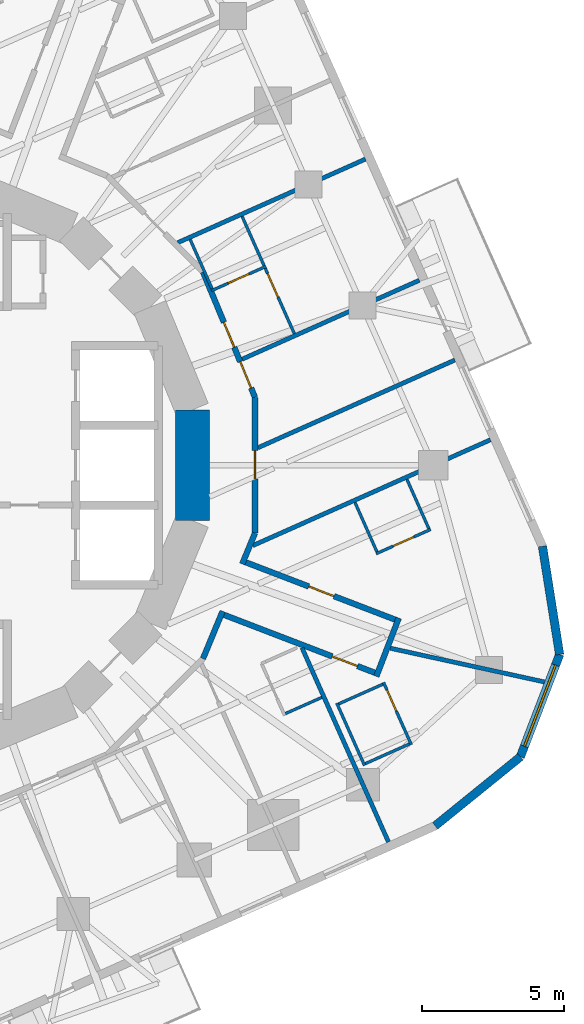
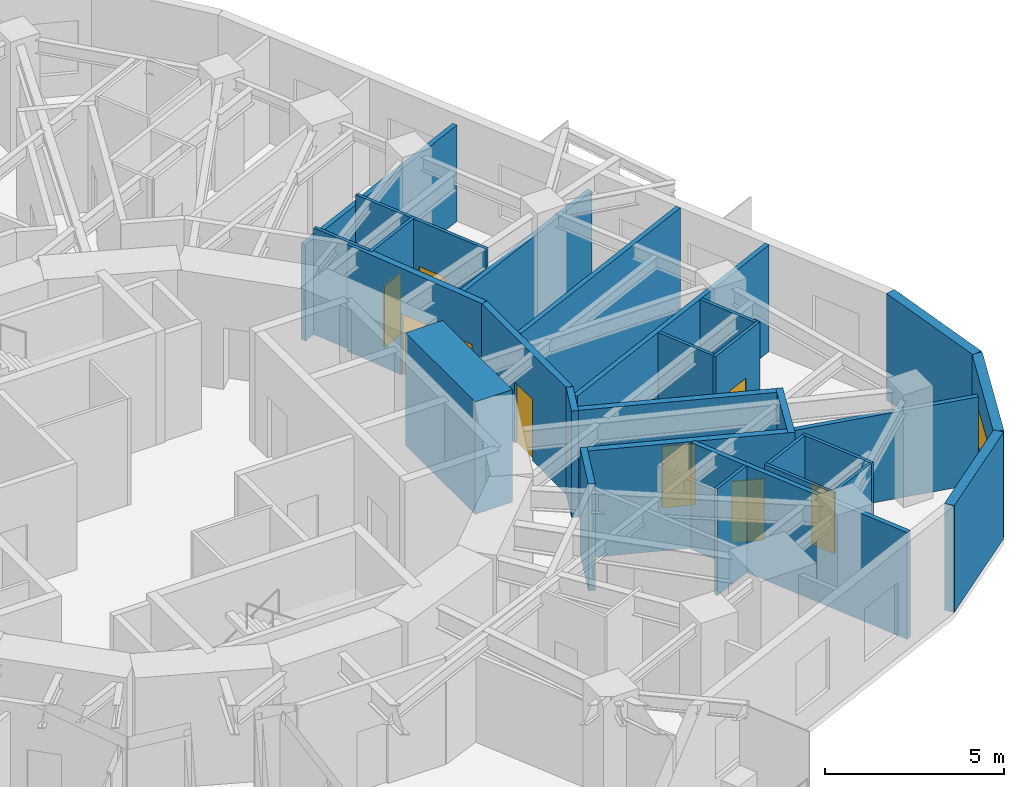
# One storey, part 8 of 12: 29 walls, 9 doors, 1 window, 10 openings.
"""IFC4 building model written with IfcOpenShell, lengths in metres."""

from ifc_helpers import new_model, si_unit, direction, frame, frame_2d, origin, place, context, subcontext, project, spatial, rectangle, extrude, material, layer, layer_set, type_object, element, fill, save


model = new_model("IFC4")

# Units and contexts
model_context = context("Model", 3, precision=1e-05, world=origin(), true_north=direction((0.0, 1.0)))
body_context = subcontext(model_context, "Body", "Model", "MODEL_VIEW")
ifc_project = project(units=[si_unit("LENGTHUNIT", "METRE"), si_unit("AREAUNIT", "SQUARE_METRE"), si_unit("VOLUMEUNIT", "CUBIC_METRE"), si_unit("PLANEANGLEUNIT", "RADIAN"), si_unit("MASSUNIT", "GRAM", prefix="KILO")], contexts=[model_context])

# Site, building, storey
site_placement = place(None, origin())
site = spatial("IfcSite", under=ifc_project, at=site_placement, CompositionType="ELEMENT")
building_placement = place(site_placement, origin())
building = spatial("IfcBuilding", under=site, at=building_placement, Name="Nakasero Lantern House", CompositionType="ELEMENT")
storey_placement = place(building_placement, frame((0.0, 0.0, 205.550048828125)))
storey = spatial("IfcBuildingStorey", under=building, at=storey_placement, Name="L50", CompositionType="ELEMENT", Elevation=205.550048828125)

# Wall
ifc_material_1 = material(Name="Concrete C50/60", Category="concrete")
ifc_layer_1 = layer(ifc_material_1, 1.199951171875)
ifc_layer_set_1 = layer_set([ifc_layer_1], Name="Core wall 1200")
wall_type_1 = type_object("IfcWallType", Name="Core wall 1200", PredefinedType="SHEAR", material=ifc_layer_set_1)
wall_1_placement = place(storey_placement, frame((9.807861328125, -1.950927734375, 0.0), z_axis=(0.0, 0.0, 1.0), x_axis=(0.0, 1.0, 0.0)))
element("IfcWall", 1, at=wall_1_placement, inside=storey, type_object=wall_type_1, Name="Core wall L50 facet 16", PredefinedType="SHEAR", context=body_context, shape_type="SweptSolid", body=[
    extrude(rectangle(XDim=3.90185546875, YDim=1.199951171875, at=frame_2d((1.950927734375, 0.0))), origin(), (0.0, 0.0, 1.0), 3.849853515625),
])

# Wall, opening, door
ifc_material_2 = material(Name="Blockwork", Category="masonry")
ifc_layer_2 = layer(ifc_material_2, 0.199951171875)
ifc_layer_set_2 = layer_set([ifc_layer_2], Name="Corridor wall 200")
wall_type_2 = type_object("IfcWallType", Name="Corridor wall 200", PredefinedType="PARTITIONING", material=ifc_layer_set_2)
wall_2_placement = place(storey_placement, frame((12.0078125, 2.388427734375, 0.0), z_axis=(0.0, 0.0, 1.0), x_axis=(0.0, -1.0, 0.0)))
wall_2 = element("IfcWall", 2, at=wall_2_placement, inside=storey, type_object=wall_type_2, Name="Corridor wall L50 RC00a", PredefinedType="PARTITIONING", context=body_context, shape_type="SweptSolid", body=[
    extrude(rectangle(XDim=4.77685546875, YDim=0.199951171875, at=frame_2d((2.388427734375, 0.0))), origin(), (0.0, 0.0, 1.0), 3.64990234375),
])
opening_1_placement = place(wall_2_placement, frame((1.8701171875, 0.0, 0.0)))
opening_1 = element("IfcOpeningElement", 3, at=opening_1_placement, cuts=wall_2, Name="Opening D03", PredefinedType="OPENING", context=body_context, shape_type="SweptSolid", body=[
    extrude(rectangle(XDim=1.0, YDim=2.10009765625, at=frame_2d((0.5, 1.050048828125))), frame((0.0, 0.119873046875, 0.0), z_axis=(0.0, -1.0, 0.0), x_axis=(1.0, 0.0, 0.0)), (0.0, 0.0, 1.0), 0.239990234375),
])
ifc_material_3 = material(Name="Timber C24", Category="wood")
door_type_1 = type_object("IfcDoorType", Name="Lounge door FD30S 1000", OperationType="SINGLE_SWING_LEFT", PredefinedType="DOOR", material=ifc_material_3)
door_1_placement = place(opening_1_placement, origin())
door_1 = element("IfcDoor", 4, at=door_1_placement, inside=storey, type_object=door_type_1, Name="Door L50 DK0", OperationType="SINGLE_SWING_LEFT", OverallHeight=2.10009765625, OverallWidth=1.0, PredefinedType="DOOR", context=body_context, shape_type="SweptSolid", body=[
    extrude(rectangle(XDim=1.0, YDim=2.10009765625, at=frame_2d((0.5, 1.050048828125))), frame((0.0, 0.02490234375, 0.0), z_axis=(0.0, -1.0, 0.0), x_axis=(1.0, 0.0, 0.0)), (0.0, 0.0, 1.0), 0.050048828125),
])
fill(opening_1, door_1)

# Walls
wall_3_placement = place(storey_placement, frame((12.0078125, -2.388427734375, 0.0), z_axis=(0.0, 0.0, 1.0), x_axis=(-0.382694679749, -0.923874873612, 0.0)))
element("IfcWall", 5, at=wall_3_placement, inside=storey, type_object=wall_type_2, Name="Corridor wall L50 RC01a", PredefinedType="PARTITIONING", context=body_context, shape_type="SweptSolid", body=[
    extrude(rectangle(XDim=1.173828125, YDim=0.199951171875, at=frame_2d((0.5869140625, 0.0))), origin(), (0.0, 0.0, 1.0), 3.64990234375),
])
wall_4_placement = place(storey_placement, frame((10.86962890625, -5.136474609375, 0.0), z_axis=(0.0, 0.0, 1.0), x_axis=(-0.382710605355, -0.923868276622, 0.0)))
element("IfcWall", 6, at=wall_4_placement, inside=storey, type_object=wall_type_2, Name="Corridor wall L50 RC01b", PredefinedType="PARTITIONING", context=body_context, shape_type="SweptSolid", body=[
    extrude(rectangle(XDim=1.802734375, YDim=0.199951171875, at=frame_2d((0.9013671875, 0.0))), origin(), (0.0, 0.0, 1.0), 3.64990234375),
])

# Wall, openings, doors
wall_5_placement = place(storey_placement, frame((10.1796875, 6.802001953125, 0.0), z_axis=(0.0, 0.0, 1.0), x_axis=(0.382676767893, -0.923882292998, 0.0)))
wall_5 = element("IfcWall", 7, at=wall_5_placement, inside=storey, type_object=wall_type_2, Name="Corridor wall L50 RC15a", PredefinedType="PARTITIONING", context=body_context, shape_type="SweptSolid", body=[
    extrude(rectangle(XDim=4.777099609375, YDim=0.199951171875, at=frame_2d((2.388671875, 0.0))), origin(), (0.0, 0.0, 1.0), 3.64990234375),
])
opening_2_placement = place(wall_5_placement, frame((1.919921875, 0.0, 0.0)))
opening_2 = element("IfcOpeningElement", 8, at=opening_2_placement, cuts=wall_5, Name="Opening D01", PredefinedType="OPENING", context=body_context, shape_type="SweptSolid", body=[
    extrude(rectangle(XDim=0.949951171875, YDim=2.10009765625, at=frame_2d((0.47509765625, 1.050048828125))), frame((0.0, 0.119873046875, 0.0), z_axis=(0.0, -1.0, 0.0), x_axis=(1.0, 0.0, 0.0)), (0.0, 0.0, 1.0), 0.239990234375),
])
opening_3_placement = place(wall_5_placement, frame((3.419921875, 0.0, 0.0)))
opening_3 = element("IfcOpeningElement", 9, at=opening_3_placement, cuts=wall_5, Name="Opening D03", PredefinedType="OPENING", context=body_context, shape_type="SweptSolid", body=[
    extrude(rectangle(XDim=1.0, YDim=2.10009765625, at=frame_2d((0.5, 1.050048828125))), frame((0.0, 0.119873046875, 0.0), z_axis=(0.0, -1.0, 0.0), x_axis=(1.0, 0.0, 0.0)), (0.0, 0.0, 1.0), 0.239990234375),
])
ifc_material_4 = material(Name="Timber C24", Category="wood")
door_type_2 = type_object("IfcDoorType", Name="Bedroom door FD30S 950", OperationType="SINGLE_SWING_LEFT", PredefinedType="DOOR", material=ifc_material_4)
door_2_placement = place(opening_2_placement, origin())
door_2 = element("IfcDoor", 10, at=door_2_placement, inside=storey, type_object=door_type_2, Name="Door L50 D0-03", OperationType="SINGLE_SWING_RIGHT", OverallHeight=2.10009765625, OverallWidth=0.949951171875, PredefinedType="DOOR", context=body_context, shape_type="SweptSolid", body=[
    extrude(rectangle(XDim=0.949951171875, YDim=2.10009765625, at=frame_2d((0.47509765625, 1.050048828125))), frame((0.0, 0.02490234375, 0.0), z_axis=(0.0, -1.0, 0.0), x_axis=(1.0, 0.0, 0.0)), (0.0, 0.0, 1.0), 0.050048828125),
])
fill(opening_2, door_2)
door_3_placement = place(opening_3_placement, origin())
door_3 = element("IfcDoor", 11, at=door_3_placement, inside=storey, type_object=door_type_1, Name="Door L50 DK0-1", OperationType="SINGLE_SWING_RIGHT", OverallHeight=2.10009765625, OverallWidth=1.0, PredefinedType="DOOR", context=body_context, shape_type="SweptSolid", body=[
    extrude(rectangle(XDim=1.0, YDim=2.10009765625, at=frame_2d((0.5, 1.050048828125))), frame((0.0, 0.02490234375, 0.0), z_axis=(0.0, -1.0, 0.0), x_axis=(1.0, 0.0, 0.0)), (0.0, 0.0, 1.0), 0.050048828125),
])
fill(opening_3, door_3)

# Wall, opening, door
wall_6_placement = place(storey_placement, frame((10.831298828125, -5.22900390625, 0.0), z_axis=(0.0, 0.0, 1.0), x_axis=(0.933584570174, -0.358357154711, 0.0)))
wall_6 = element("IfcWall", 12, at=wall_6_placement, inside=storey, type_object=wall_type_2, Name="Corridor wall L50 SP3a", PredefinedType="PARTITIONING", context=body_context, shape_type="SweptSolid", body=[
    extrude(rectangle(XDim=5.97216796875, YDim=0.199951171875, at=frame_2d((2.986083984375, 0.0))), origin(), (0.0, 0.0, 1.0), 3.64990234375),
])
opening_4_placement = place(wall_6_placement, frame((4.169921875, 0.0, 0.0)))
opening_4 = element("IfcOpeningElement", 13, at=opening_4_placement, cuts=wall_6, Name="Opening D01", PredefinedType="OPENING", context=body_context, shape_type="SweptSolid", body=[
    extrude(rectangle(XDim=0.949951171875, YDim=2.10009765625, at=frame_2d((0.47509765625, 1.050048828125))), frame((0.0, 0.119873046875, 0.0), z_axis=(0.0, -1.0, 0.0), x_axis=(1.0, 0.0, 0.0)), (0.0, 0.0, 1.0), 0.239990234375),
])
door_4_placement = place(opening_4_placement, origin())
door_4 = element("IfcDoor", 14, at=door_4_placement, inside=storey, type_object=door_type_2, Name="Door L50 D3-06", OperationType="SINGLE_SWING_RIGHT", OverallHeight=2.10009765625, OverallWidth=0.949951171875, PredefinedType="DOOR", context=body_context, shape_type="SweptSolid", body=[
    extrude(rectangle(XDim=0.949951171875, YDim=2.10009765625, at=frame_2d((0.47509765625, 1.050048828125))), frame((0.0, 0.02490234375, 0.0), z_axis=(0.0, -1.0, 0.0), x_axis=(1.0, 0.0, 0.0)), (0.0, 0.0, 1.0), 0.050048828125),
])
fill(opening_4, door_4)

wall_7_placement = place(storey_placement, frame((11.596923828125, -3.380615234375, 0.0), z_axis=(0.0, 0.0, 1.0), x_axis=(0.933582445172, -0.358362690674, 0.0)))
wall_7 = element("IfcWall", 15, at=wall_7_placement, inside=storey, type_object=wall_type_2, Name="Corridor wall L50 SP3b", PredefinedType="PARTITIONING", context=body_context, shape_type="SweptSolid", body=[
    extrude(rectangle(XDim=5.91943359375, YDim=0.199951171875, at=frame_2d((2.959716796875, 0.0))), origin(), (0.0, 0.0, 1.0), 3.64990234375),
])
opening_5_placement = place(wall_7_placement, frame((2.469970703125, 0.0, 0.0)))
opening_5 = element("IfcOpeningElement", 16, at=opening_5_placement, cuts=wall_7, Name="Opening D01", PredefinedType="OPENING", context=body_context, shape_type="SweptSolid", body=[
    extrude(rectangle(XDim=0.949951171875, YDim=2.10009765625, at=frame_2d((0.47509765625, 1.050048828125))), frame((0.0, 0.119873046875, 0.0), z_axis=(0.0, -1.0, 0.0), x_axis=(1.0, 0.0, 0.0)), (0.0, 0.0, 1.0), 0.239990234375),
])
door_5_placement = place(opening_5_placement, origin())
door_5 = element("IfcDoor", 17, at=door_5_placement, inside=storey, type_object=door_type_2, Name="Door L50 D0-00", OperationType="SINGLE_SWING_LEFT", OverallHeight=2.10009765625, OverallWidth=0.949951171875, PredefinedType="DOOR", context=body_context, shape_type="SweptSolid", body=[
    extrude(rectangle(XDim=0.949951171875, YDim=2.10009765625, at=frame_2d((0.47509765625, 1.050048828125))), frame((0.0, 0.02490234375, 0.0), z_axis=(0.0, -1.0, 0.0), x_axis=(1.0, 0.0, 0.0)), (0.0, 0.0, 1.0), 0.050048828125),
])
fill(opening_5, door_5)

# Wall
wall_8_placement = place(storey_placement, frame((16.277587890625, -7.426513671875, 0.0), z_axis=(0.0, 0.0, 1.0), x_axis=(0.358361733464, 0.933582812604, 0.0)))
element("IfcWall", 18, at=wall_8_placement, inside=storey, type_object=wall_type_2, Name="Corridor wall L50 SP3e", PredefinedType="PARTITIONING", context=body_context, shape_type="SweptSolid", body=[
    extrude(rectangle(XDim=2.19970703125, YDim=0.199951171875, at=frame_2d((1.099853515625, 0.0))), origin(), (0.0, 0.0, 1.0), 3.64990234375),
])

# Wall, opening, door
ifc_material_5 = material(Name="Blockwork", Category="masonry")
ifc_layer_3 = layer(ifc_material_5, 0.10009765625)
ifc_layer_set_3 = layer_set([ifc_layer_3], Name="En-suite wall 100")
wall_type_3 = type_object("IfcWallType", Name="En-suite wall 100", PredefinedType="PARTITIONING", material=ifc_layer_set_3)
wall_9_placement = place(storey_placement, frame((16.27197265625, -3.11083984375, 0.0), z_axis=(0.0, 0.0, 1.0), x_axis=(0.913528480824, 0.406774771494, 0.0)))
wall_9 = element("IfcWall", 19, at=wall_9_placement, inside=storey, type_object=wall_type_3, Name="En-suite wall L50 ES0-00", PredefinedType="PARTITIONING", context=body_context, shape_type="SweptSolid", body=[
    extrude(rectangle(XDim=2.10009765625, YDim=0.10009765625, at=frame_2d((1.050048828125, 0.0))), origin(), (0.0, 0.0, 1.0), 3.64990234375),
])
opening_6_placement = place(wall_9_placement, frame((0.64990234375, 0.0, 0.0)))
opening_6 = element("IfcOpeningElement", 20, at=opening_6_placement, cuts=wall_9, Name="Opening D02", PredefinedType="OPENING", context=body_context, shape_type="SweptSolid", body=[
    extrude(rectangle(XDim=0.800048828125, YDim=2.10009765625, at=frame_2d((0.39990234375, 1.050048828125))), frame((0.0, 0.070068359375, 0.0), z_axis=(0.0, -1.0, 0.0), x_axis=(1.0, 0.0, 0.0)), (0.0, 0.0, 1.0), 0.14013671875),
])
ifc_material_6 = material(Name="Timber C24", Category="wood")
door_type_3 = type_object("IfcDoorType", Name="En-suite door 800", OperationType="SINGLE_SWING_RIGHT", PredefinedType="DOOR", material=ifc_material_6)
door_6_placement = place(opening_6_placement, origin())
door_6 = element("IfcDoor", 21, at=door_6_placement, inside=storey, type_object=door_type_3, Name="Door L50 DE0-00", OperationType="SINGLE_SWING_RIGHT", OverallHeight=2.10009765625, OverallWidth=0.800048828125, PredefinedType="DOOR", context=body_context, shape_type="SweptSolid", body=[
    extrude(rectangle(XDim=0.800048828125, YDim=2.10009765625, at=frame_2d((0.39990234375, 1.050048828125))), frame((0.0, 0.02490234375, 0.0), z_axis=(0.0, -1.0, 0.0), x_axis=(1.0, 0.0, 0.0)), (0.0, 0.0, 1.0), 0.050048828125),
])
fill(opening_6, door_6)

# Walls
wall_10_placement = place(storey_placement, frame((18.12451171875, -2.2314453125, 0.0), z_axis=(0.0, 0.0, 1.0), x_axis=(-0.406674880245, 0.913572953725, 0.0)))
element("IfcWall", 22, at=wall_10_placement, inside=storey, type_object=wall_type_3, Name="En-suite wall L50 EE0-00", PredefinedType="PARTITIONING", context=body_context, shape_type="SweptSolid", body=[
    extrude(rectangle(XDim=1.900146484375, YDim=0.10009765625, at=frame_2d((0.9501953125, 0.0))), origin(), (0.0, 0.0, 1.0), 3.64990234375),
])
wall_11_placement = place(storey_placement, frame((16.29736328125, -3.044677734375, 0.0), z_axis=(0.0, 0.0, 1.0), x_axis=(-0.406722623293, 0.913551699523, 0.0)))
element("IfcWall", 23, at=wall_11_placement, inside=storey, type_object=wall_type_3, Name="En-suite wall L50 EI0-00", PredefinedType="PARTITIONING", context=body_context, shape_type="SweptSolid", body=[
    extrude(rectangle(XDim=1.89990234375, YDim=0.10009765625, at=frame_2d((0.949951171875, 0.0))), origin(), (0.0, 0.0, 1.0), 3.64990234375),
])

# Wall, opening, door
wall_12_placement = place(storey_placement, frame((10.475341796875, 6.138916015625, 0.0), z_axis=(0.0, 0.0, 1.0), x_axis=(0.913528480824, 0.406774771494, 0.0)))
wall_12 = element("IfcWall", 24, at=wall_12_placement, inside=storey, type_object=wall_type_3, Name="En-suite wall L50 ES0-03", PredefinedType="PARTITIONING", context=body_context, shape_type="SweptSolid", body=[
    extrude(rectangle(XDim=2.10009765625, YDim=0.10009765625, at=frame_2d((1.050048828125, 0.0))), origin(), (0.0, 0.0, 1.0), 3.64990234375),
])
opening_7_placement = place(wall_12_placement, frame((0.64990234375, 0.0, 0.0)))
opening_7 = element("IfcOpeningElement", 25, at=opening_7_placement, cuts=wall_12, Name="Opening D02", PredefinedType="OPENING", context=body_context, shape_type="SweptSolid", body=[
    extrude(rectangle(XDim=0.800048828125, YDim=2.10009765625, at=frame_2d((0.39990234375, 1.050048828125))), frame((0.0, 0.070068359375, 0.0), z_axis=(0.0, -1.0, 0.0), x_axis=(1.0, 0.0, 0.0)), (0.0, 0.0, 1.0), 0.14013671875),
])
door_7_placement = place(opening_7_placement, origin())
door_7 = element("IfcDoor", 26, at=door_7_placement, inside=storey, type_object=door_type_3, Name="Door L50 DE0-03", OperationType="SINGLE_SWING_LEFT", OverallHeight=2.10009765625, OverallWidth=0.800048828125, PredefinedType="DOOR", context=body_context, shape_type="SweptSolid", body=[
    extrude(rectangle(XDim=0.800048828125, YDim=2.10009765625, at=frame_2d((0.39990234375, 1.050048828125))), frame((0.0, 0.02490234375, 0.0), z_axis=(0.0, -1.0, 0.0), x_axis=(1.0, 0.0, 0.0)), (0.0, 0.0, 1.0), 0.050048828125),
])
fill(opening_7, door_7)

# Walls
for number, where, z_axis, x_axis, name in (
    (27, (12.327880859375, 7.0185546875, 0.0), (0.0, 0.0, 1.0), (-0.406722623293, 0.913551699523, 0.0), "En-suite wall L50 EE0-03"),
    (28, (10.500732421875, 6.205078125, 0.0), (0.0, 0.0, 1.0), (-0.406722623293, 0.913551699523, 0.0), "En-suite wall L50 EI0-03"),
):
    element("IfcWall", number, at=place(storey_placement, frame(where, z_axis=z_axis, x_axis=x_axis)), inside=storey, type_object=wall_type_3, Name=name, PredefinedType="PARTITIONING", context=body_context, shape_type="SweptSolid", body=[
        extrude(rectangle(XDim=1.89990234375, YDim=0.10009765625, at=frame_2d((0.949951171875, 0.0))), origin(), (0.0, 0.0, 1.0), 3.64990234375),
    ])
wall_13_placement = place(storey_placement, frame((13.07861328125, -8.736083984375, 0.0), z_axis=(0.0, 0.0, 1.0), x_axis=(0.9135164993, 0.406801678348, 0.0)))
element("IfcWall", 29, at=wall_13_placement, inside=storey, type_object=wall_type_3, Name="En-suite wall L50 EE3-05", PredefinedType="PARTITIONING", context=body_context, shape_type="SweptSolid", body=[
    extrude(rectangle(XDim=1.400146484375, YDim=0.10009765625, at=frame_2d((0.7001953125, 0.0))), origin(), (0.0, 0.0, 1.0), 3.64990234375),
])

# Wall, opening, door
wall_14_placement = place(storey_placement, frame((16.530029296875, -7.63720703125, 0.0), z_axis=(0.0, 0.0, 1.0), x_axis=(0.406808500233, -0.913513461389, 0.0)))
wall_14 = element("IfcWall", 30, at=wall_14_placement, inside=storey, type_object=wall_type_3, Name="En-suite wall L50 ES3-06", PredefinedType="PARTITIONING", context=body_context, shape_type="SweptSolid", body=[
    extrude(rectangle(XDim=2.39990234375, YDim=0.10009765625, at=frame_2d((1.199951171875, 0.0))), origin(), (0.0, 0.0, 1.0), 3.64990234375),
])
opening_8_placement = place(wall_14_placement, frame((0.300048828125, 0.0, 0.0)))
opening_8 = element("IfcOpeningElement", 31, at=opening_8_placement, cuts=wall_14, Name="Opening D02", PredefinedType="OPENING", context=body_context, shape_type="SweptSolid", body=[
    extrude(rectangle(XDim=0.800048828125, YDim=2.10009765625, at=frame_2d((0.39990234375, 1.050048828125))), frame((0.0, 0.070068359375, 0.0), z_axis=(0.0, -1.0, 0.0), x_axis=(1.0, 0.0, 0.0)), (0.0, 0.0, 1.0), 0.14013671875),
])
door_8_placement = place(opening_8_placement, origin())
door_8 = element("IfcDoor", 32, at=door_8_placement, inside=storey, type_object=door_type_3, Name="Door L50 DE3-06", OperationType="SINGLE_SWING_LEFT", OverallHeight=2.10009765625, OverallWidth=0.800048828125, PredefinedType="DOOR", context=body_context, shape_type="SweptSolid", body=[
    extrude(rectangle(XDim=0.800048828125, YDim=2.10009765625, at=frame_2d((0.39990234375, 1.050048828125))), frame((0.0, 0.02490234375, 0.0), z_axis=(0.0, -1.0, 0.0), x_axis=(1.0, 0.0, 0.0)), (0.0, 0.0, 1.0), 0.050048828125),
])
fill(opening_8, door_8)

# Walls
wall_15_placement = place(storey_placement, frame((14.8857421875, -8.369384765625, 0.0), z_axis=(0.0, 0.0, 1.0), x_axis=(0.406723602621, -0.913551263516, 0.0)))
element("IfcWall", 33, at=wall_15_placement, inside=storey, type_object=wall_type_3, Name="En-suite wall L50 EV3-06", PredefinedType="PARTITIONING", context=body_context, shape_type="SweptSolid", body=[
    extrude(rectangle(XDim=2.39990234375, YDim=0.10009765625, at=frame_2d((1.199951171875, 0.0))), origin(), (0.0, 0.0, 1.0), 3.64990234375),
])
for number, where, z_axis, x_axis, name in (
    (34, (15.88720703125, -10.495849609375, 0.0), (0.0, 0.0, 1.0), (0.913550776237, 0.406724697108, 0.0), "En-suite wall L50 EE3-06"),
    (35, (14.95166015625, -8.39453125, 0.0), (0.0, 0.0, 1.0), (0.913550776237, 0.406724697108, 0.0), "En-suite wall L50 EI3-06"),
):
    element("IfcWall", number, at=place(storey_placement, frame(where, z_axis=z_axis, x_axis=x_axis)), inside=storey, type_object=wall_type_3, Name=name, PredefinedType="PARTITIONING", context=body_context, shape_type="SweptSolid", body=[
        extrude(rectangle(XDim=1.699951171875, YDim=0.10009765625, at=frame_2d((0.85009765625, 0.0))), origin(), (0.0, 0.0, 1.0), 3.64990234375),
    ])

# Wall, opening, door
wall_16_placement = place(storey_placement, frame((13.3916015625, 4.629150390625, 0.0), z_axis=(0.0, 0.0, 1.0), x_axis=(-0.406696756474, 0.913563215259, 0.0)))
wall_16 = element("IfcWall", 36, at=wall_16_placement, inside=storey, type_object=wall_type_3, Name="En-suite wall L50 EL0-03", PredefinedType="PARTITIONING", context=body_context, shape_type="SweptSolid", body=[
    extrude(rectangle(XDim=2.515380859375, YDim=0.10009765625, at=frame_2d((1.2578125, 0.0))), origin(), (0.0, 0.0, 1.0), 3.64990234375),
])
opening_9_placement = place(wall_16_placement, frame((1.415283203125, 0.0, 0.0)))
opening_9 = element("IfcOpeningElement", 37, at=opening_9_placement, cuts=wall_16, Name="Opening D17", PredefinedType="OPENING", context=body_context, shape_type="SweptSolid", body=[
    extrude(rectangle(XDim=0.89990234375, YDim=2.10009765625, at=frame_2d((0.449951171875, 1.050048828125))), frame((0.0, 0.070068359375, 0.0), z_axis=(0.0, -1.0, 0.0), x_axis=(1.0, 0.0, 0.0)), (0.0, 0.0, 1.0), 0.14013671875),
])
ifc_material_7 = material(Name="Timber C24", Category="wood")
door_type_4 = type_object("IfcDoorType", Name="Bedroom door FD30S 900", OperationType="SINGLE_SWING_LEFT", PredefinedType="DOOR", material=ifc_material_7)
door_9_placement = place(opening_9_placement, origin())
door_9 = element("IfcDoor", 38, at=door_9_placement, inside=storey, type_object=door_type_4, Name="Door L50 DL0-03", OperationType="SINGLE_SWING_RIGHT", OverallHeight=2.10009765625, OverallWidth=0.89990234375, PredefinedType="DOOR", context=body_context, shape_type="SweptSolid", body=[
    extrude(rectangle(XDim=0.89990234375, YDim=2.10009765625, at=frame_2d((0.449951171875, 1.050048828125))), frame((0.0, 0.02490234375, 0.0), z_axis=(0.0, -1.0, 0.0), x_axis=(1.0, 0.0, 0.0)), (0.0, 0.0, 1.0), 0.050048828125),
])
fill(opening_9, door_9)

# Wall
ifc_material_8 = material(Name="Aluminium rainscreen on blockwork", Category="masonry")
ifc_layer_4 = layer(ifc_material_8, 0.300048828125)
ifc_layer_set_4 = layer_set([ifc_layer_4], Name="Facade wall 300")
wall_type_4 = type_object("IfcWallType", Name="Facade wall 300", PredefinedType="SOLIDWALL", material=ifc_layer_set_4)
wall_17_placement = place(storey_placement, frame((18.345458984375, -12.684814453125, 0.0), z_axis=(0.0, 0.0, 1.0), x_axis=(0.777174099125, 0.629285642335, 0.0)))
element("IfcWall", 39, at=wall_17_placement, inside=storey, type_object=wall_type_4, Name="Facade wall L50 FW3C1", PredefinedType="SOLIDWALL", context=body_context, shape_type="SweptSolid", body=[
    extrude(rectangle(XDim=3.8564453125, YDim=0.300048828125, at=frame_2d((1.92822265625, 0.0))), origin(), (0.0, 0.0, 1.0), 3.64990234375),
])

# Wall, opening, window
wall_18_placement = place(storey_placement, frame((21.342529296875, -10.258056640625, 0.0), z_axis=(0.0, 0.0, 1.0), x_axis=(0.358321438858, 0.933598278948, 0.0)))
wall_18 = element("IfcWall", 40, at=wall_18_placement, inside=storey, type_object=wall_type_4, Name="Facade wall L50 FW3C2", PredefinedType="SOLIDWALL", context=body_context, shape_type="SweptSolid", body=[
    extrude(rectangle(XDim=3.8564453125, YDim=0.300048828125, at=frame_2d((1.92822265625, 0.0))), origin(), (0.0, 0.0, 1.0), 3.64990234375),
])
opening_10_placement = place(wall_18_placement, frame((0.39990234375, 0.0, 0.75)))
opening_10 = element("IfcOpeningElement", 41, at=opening_10_placement, cuts=wall_18, Name="Opening W230", PredefinedType="OPENING", context=body_context, shape_type="SweptSolid", body=[
    extrude(rectangle(XDim=3.055908203125, YDim=1.800048828125, at=frame_2d((1.52783203125, 0.89990234375))), frame((0.0, 0.169921875, 0.0), z_axis=(0.0, -1.0, 0.0), x_axis=(1.0, 0.0, 0.0)), (0.0, 0.0, 1.0), 0.340087890625),
])
ifc_material_9 = material(Name="Aluminium 6063-T6 and glass", Category="aluminium")
window_type = type_object("IfcWindowType", Name="Corner window 3056x1800", PartitioningType="SINGLE_PANEL", PredefinedType="WINDOW", material=ifc_material_9)
window_placement = place(opening_10_placement, origin())
window = element("IfcWindow", 42, at=window_placement, inside=storey, type_object=window_type, Name="Window L50 WC3", OverallHeight=1.800048828125, OverallWidth=3.055908203125, PartitioningType="SINGLE_PANEL", PredefinedType="WINDOW", context=body_context, shape_type="SweptSolid", body=[
    extrude(rectangle(XDim=3.055908203125, YDim=1.800048828125, at=frame_2d((1.52783203125, 0.89990234375))), frame((0.0, 0.030029296875, 0.0), z_axis=(0.0, -1.0, 0.0), x_axis=(1.0, 0.0, 0.0)), (0.0, 0.0, 1.0), 0.06005859375),
])
fill(opening_10, window)

# Walls
wall_19_placement = place(storey_placement, frame((22.724365234375, -6.65771484375, 0.0), z_axis=(0.0, 0.0, 1.0), x_axis=(-0.156437203878, 0.987687906802, 0.0)))
element("IfcWall", 43, at=wall_19_placement, inside=storey, type_object=wall_type_4, Name="Facade wall L50 FW3C3", PredefinedType="SOLIDWALL", context=body_context, shape_type="SweptSolid", body=[
    extrude(rectangle(XDim=3.856201171875, YDim=0.300048828125, at=frame_2d((1.92822265625, 0.0))), origin(), (0.0, 0.0, 1.0), 3.64990234375),
])
ifc_material_10 = material(Name="Blockwork", Category="masonry")
ifc_layer_5 = layer(ifc_material_10, 0.14990234375)
ifc_layer_set_5 = layer_set([ifc_layer_5], Name="Party wall 150")
wall_type_5 = type_object("IfcWallType", Name="Party wall 150", PredefinedType="PARTITIONING", material=ifc_layer_set_5)
wall_20_placement = place(storey_placement, frame((11.935302734375, -2.824951171875, 0.0), z_axis=(0.0, 0.0, 1.0), x_axis=(0.91355156837, 0.40672291788, 0.0)))
element("IfcWall", 44, at=wall_20_placement, inside=storey, type_object=wall_type_5, Name="Party wall L50 PW0-01", PredefinedType="PARTITIONING", context=body_context, shape_type="SweptSolid", body=[
    extrude(rectangle(XDim=9.1455078125, YDim=0.14990234375, at=frame_2d((4.57275390625, 0.0))), origin(), (0.0, 0.0, 1.0), 3.64990234375),
])
wall_21_placement = place(storey_placement, frame((12.10791015625, 0.61376953125, 0.0), z_axis=(0.0, 0.0, 1.0), x_axis=(0.913552679772, 0.406720421521, 0.0)))
element("IfcWall", 45, at=wall_21_placement, inside=storey, type_object=wall_type_5, Name="Party wall L50 PW0-02", PredefinedType="PARTITIONING", context=body_context, shape_type="SweptSolid", body=[
    extrude(rectangle(XDim=7.589111328125, YDim=0.14990234375, at=frame_2d((3.79443359375, 0.0))), origin(), (0.0, 0.0, 1.0), 3.64990234375),
])
wall_22_placement = place(storey_placement, frame((11.559814453125, 3.7314453125, 0.0), z_axis=(0.0, 0.0, 1.0), x_axis=(0.913544226514, 0.406739408224, 0.0)))
element("IfcWall", 46, at=wall_22_placement, inside=storey, type_object=wall_type_5, Name="Party wall L50 PW0-03", PredefinedType="PARTITIONING", context=body_context, shape_type="SweptSolid", body=[
    extrude(rectangle(XDim=6.82177734375, YDim=0.14990234375, at=frame_2d((3.410888671875, 0.0))), origin(), (0.0, 0.0, 1.0), 2.966552734375),
])
wall_23_placement = place(storey_placement, frame((9.293701171875, 7.829345703125, 0.0), z_axis=(0.0, 0.0, 1.0), x_axis=(0.913535447493, 0.406759125496, 0.0)))
element("IfcWall", 47, at=wall_23_placement, inside=storey, type_object=wall_type_5, Name="Party wall L50 PW0-04", PredefinedType="PARTITIONING", context=body_context, shape_type="SweptSolid", body=[
    extrude(rectangle(XDim=7.225341796875, YDim=0.14990234375, at=frame_2d((3.61279296875, 0.0))), origin(), (0.0, 0.0, 1.0), 3.294921875),
])
wall_24_placement = place(storey_placement, frame((13.663330078125, -6.423095703125, 0.0), z_axis=(0.0, 0.0, 1.0), x_axis=(0.406735380252, -0.913546019887, 0.0)))
element("IfcWall", 48, at=wall_24_placement, inside=storey, type_object=wall_type_5, Name="Party wall L50 PW3-06", PredefinedType="PARTITIONING", context=body_context, shape_type="SweptSolid", body=[
    extrude(rectangle(XDim=7.474853515625, YDim=0.14990234375, at=frame_2d((3.7373046875, 0.0))), origin(), (0.0, 0.0, 1.0), 3.64990234375),
])
wall_25_placement = place(storey_placement, frame((16.76513671875, -6.435546875, 0.0), z_axis=(0.0, 0.0, 1.0), x_axis=(0.976891696422, -0.213734913997, 0.0)))
element("IfcWall", 49, at=wall_25_placement, inside=storey, type_object=wall_type_5, Name="Party wall L50 PW0-00", PredefinedType="PARTITIONING", context=body_context, shape_type="SweptSolid", body=[
    extrude(rectangle(XDim=5.55126953125, YDim=0.14990234375, at=frame_2d((2.775634765625, 0.0))), origin(), (0.0, 0.0, 1.0), 2.966552734375),
])

save(model, "model.ifc")
